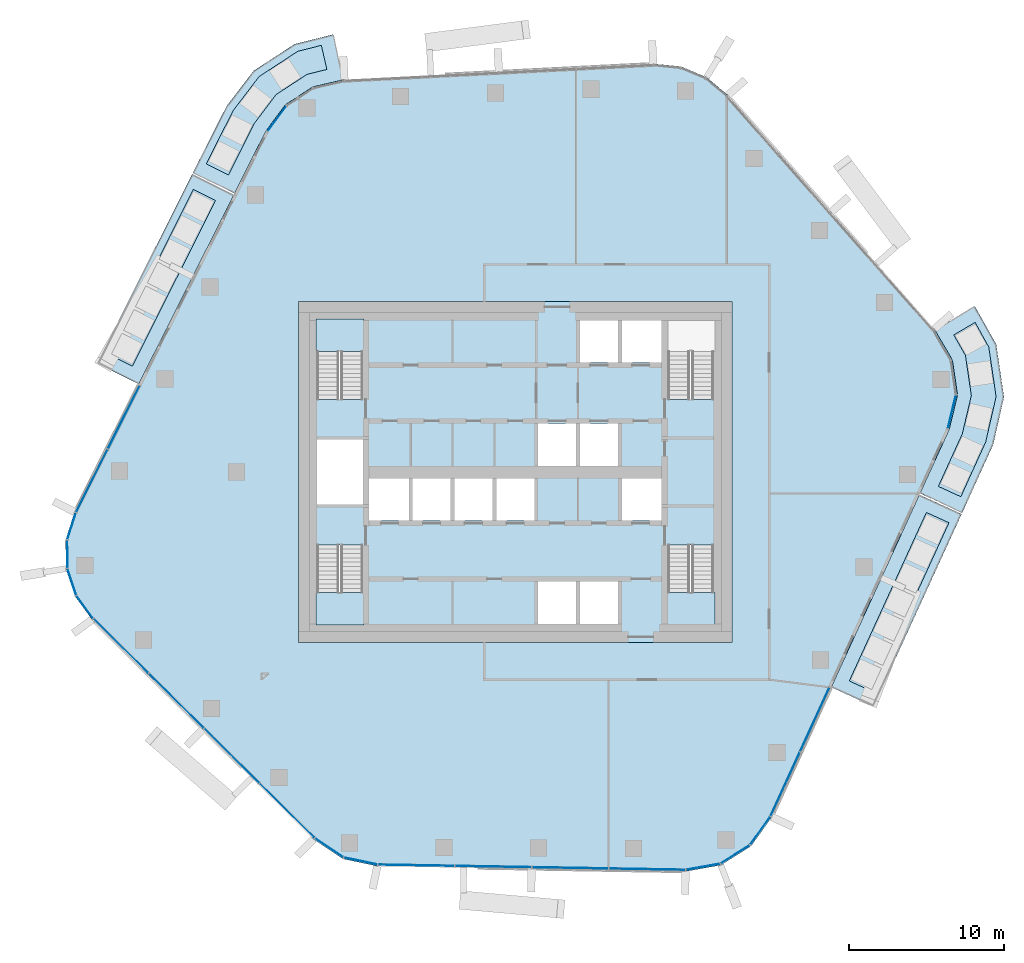
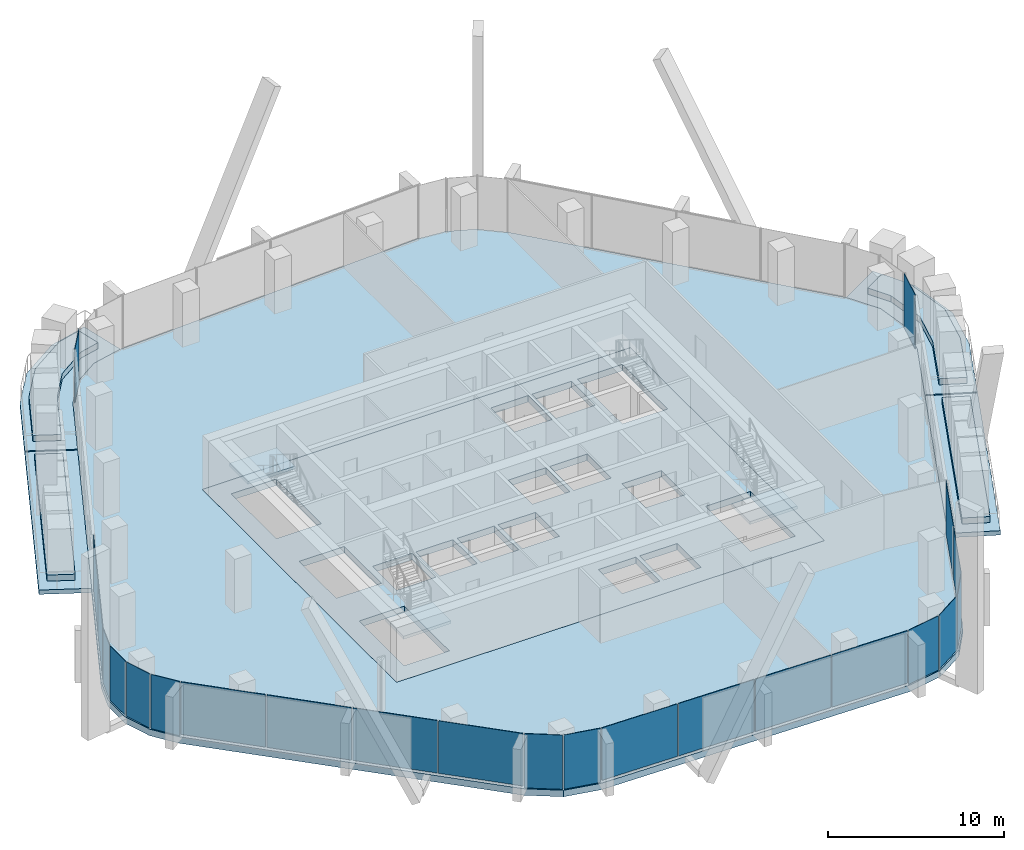
# One storey, part 8 of 20: 23 plates, 13 slabs, 12 elements without a shape of their own.
"""IFC4 building model written with IfcOpenShell, lengths in metres."""

from ifc_helpers import new_model, si_unit, direction, frame, origin, origin_2d, place, context, subcontext, project, spatial, polyline, rectangle, outline, extrude, material, layer, layer_set, type_object, element, aggregate, save


model = new_model("IFC4")

# Units and contexts
model_context = context("Model", 3, precision=1e-05, world=origin(), true_north=direction((0.0, 1.0)))
body_context = subcontext(model_context, "Body", "Model", "MODEL_VIEW")
ifc_project = project(units=[si_unit("LENGTHUNIT", "METRE"), si_unit("AREAUNIT", "SQUARE_METRE"), si_unit("VOLUMEUNIT", "CUBIC_METRE"), si_unit("PLANEANGLEUNIT", "RADIAN"), si_unit("MASSUNIT", "GRAM", prefix="KILO")], contexts=[model_context])

# Site, building, storey
site_placement = place(None, origin())
site = spatial("IfcSite", under=ifc_project, at=site_placement, CompositionType="ELEMENT")
building_placement = place(site_placement, origin())
building = spatial("IfcBuilding", under=site, at=building_placement, Name="Dongbaek Canopy Tower", CompositionType="ELEMENT")
storey_placement = place(building_placement, frame((0.0, 0.0, 228.60009765625)))
storey = spatial("IfcBuildingStorey", under=building, at=storey_placement, Name="L47", CompositionType="ELEMENT", Elevation=228.60009765625)

# Slabs
ifc_material_1 = material(Name="Concrete C40/50", Category="concrete")
ifc_layer_1 = layer(ifc_material_1, 0.300048828125)
ifc_layer_set_1 = layer_set([ifc_layer_1], Name="Balcony slab 300")
slab_type_1 = type_object("IfcSlabType", Name="Balcony slab 300", PredefinedType="FLOOR", material=ifc_layer_set_1)
slab_1_placement = place(storey_placement, frame((0.0, 0.0, -0.300048828125)))
element("IfcSlab", 1, at=slab_1_placement, inside=storey, type_object=slab_type_1, Name="Balcony L47 1", PredefinedType="FLOOR", context=body_context, shape_type="SweptSolid", body=[
    extrude(outline(polyline([(-18.175537109375, 17.891357421875), (-24.31298828125, 5.674560546875), (-26.99365234375, 7.021240234375), (-20.8564453125, 19.238037109375), (-18.175537109375, 17.891357421875)])), origin(), (0.0, 0.0, 1.0), 0.300048828125),
])
slab_2_placement = place(storey_placement, frame((0.0, 0.0, -0.300048828125)))
element("IfcSlab", 2, at=slab_2_placement, inside=storey, type_object=slab_type_1, Name="Balcony L47 4", PredefinedType="FLOOR", context=body_context, shape_type="SweptSolid", body=[
    extrude(outline(polyline([(-11.086669921875, 25.325439453125), (-13.08154296875, 24.864990234375), (-14.837890625, 23.71875), (-16.092529296875, 22.0380859375), (-18.130615234375, 17.980712890625), (-20.8115234375, 19.327392578125), (-18.644775390625, 23.61474609375), (-16.891357421875, 25.90576171875), (-14.2568359375, 27.625244140625), (-11.761474609375, 28.24853515625), (-11.086669921875, 25.325439453125)])), origin(), (0.0, 0.0, 1.0), 0.300048828125),
])
slab_3_placement = place(storey_placement, frame((0.0, 0.0, -0.300048828125)))
element("IfcSlab", 3, at=slab_3_placement, inside=storey, type_object=slab_type_1, Name="Balcony L47 2", PredefinedType="FLOOR", context=body_context, shape_type="SweptSolid", body=[
    extrude(outline(polyline([(20.395263671875, -13.88818359375), (26.081298828125, -1.462890625), (28.80908203125, -2.711181640625), (23.123291015625, -15.136474609375), (20.395263671875, -13.88818359375)])), origin(), (0.0, 0.0, 1.0), 0.300048828125),
])
slab_4_placement = place(storey_placement, frame((0.0, 0.0, -0.300048828125)))
element("IfcSlab", 4, at=slab_4_placement, inside=storey, type_object=slab_type_1, Name="Balcony L47 3", PredefinedType="FLOOR", context=body_context, shape_type="SweptSolid", body=[
    extrude(outline(polyline([(26.122802734375, -1.3720703125), (28.01123046875, 2.754638671875), (28.54931640625, 4.980712890625), (28.2138671875, 7.246337890625), (27.07958984375, 9.177978515625), (29.66650390625, 10.697021484375), (31.043212890625, 8.24365234375), (31.546142578125, 4.845458984375), (30.84619140625, 1.773681640625), (28.850830078125, -2.620361328125), (26.122802734375, -1.3720703125)])), origin(), (0.0, 0.0, 1.0), 0.300048828125),
])

# Curtain wall, plate
ifc_material_2 = material(Name="Aluminium 6063-T6 pale anodised", Category="aluminium")
ifc_layer_2 = layer(ifc_material_2, 0.199951171875)
ifc_layer_set_2 = layer_set([ifc_layer_2], Name="CW-1 unitised tower curtain wall")
curtain_wall_type = type_object("IfcCurtainWallType", Name="CW-1 unitised tower curtain wall", PredefinedType="NOTDEFINED", material=ifc_layer_set_2)
curtain_wall_1_placement = place(storey_placement, origin())
curtain_wall_1 = element("IfcCurtainWall", 5, at=curtain_wall_1_placement, inside=storey, type_object=curtain_wall_type, Name="CW-1 curtain wall K0.1", PredefinedType="NOTDEFINED")
ifc_material_3 = material(Name="Clear laminated glass", Category="glass")
ifc_layer_3 = layer(ifc_material_3, 0.028076171875)
ifc_layer_set_3 = layer_set([ifc_layer_3], Name="CW-1 glazed panel 28")
plate_type = type_object("IfcPlateType", Name="CW-1 glazed panel 28", PredefinedType="CURTAIN_PANEL", material=ifc_layer_set_3)
plate_1_placement = place(storey_placement, frame((28.181884765625, 3.886474609375, 0.0), z_axis=(0.0, 0.0, 1.0), x_axis=(0.23492321999, 0.972013930306, 0.0)))
plate_1 = element("IfcPlate", 6, at=plate_1_placement, type_object=plate_type, Name="CW-1 panel K0.1.1.1", PredefinedType="CURTAIN_PANEL", context=body_context, shape_type="SweptSolid", body=[
    extrude(rectangle(XDim=2.177001953125, YDim=0.028076171875, at=origin_2d()), origin(), (0.0, 0.0, 1.0), 3.75),
])
aggregate(curtain_wall_1, [plate_1])

curtain_wall_2_placement = place(storey_placement, origin())
curtain_wall_2 = element("IfcCurtainWall", 7, at=curtain_wall_2_placement, inside=storey, type_object=curtain_wall_type, Name="CW-1 curtain wall K2.1b", PredefinedType="NOTDEFINED")
plate_2_placement = place(storey_placement, frame((-15.3876953125, 22.81494140625, 0.0), z_axis=(0.0, 0.0, 1.0), x_axis=(-0.598174039914, -0.801366219635, 0.0)))
plate_2 = element("IfcPlate", 8, at=plate_2_placement, type_object=plate_type, Name="CW-1 panel K2.1b.2.1", PredefinedType="CURTAIN_PANEL", context=body_context, shape_type="SweptSolid", body=[
    extrude(rectangle(XDim=1.98681640625, YDim=0.028076171875, at=origin_2d()), origin(), (0.0, 0.0, 1.0), 3.75),
])
aggregate(curtain_wall_2, [plate_2])

# Curtain wall, plates
curtain_wall_3_placement = place(storey_placement, origin())
curtain_wall_3 = element("IfcCurtainWall", 9, at=curtain_wall_3_placement, inside=storey, type_object=curtain_wall_type, Name="CW-1 curtain wall F2.1", PredefinedType="NOTDEFINED")
plate_3_placement = place(storey_placement, frame((-25.276611328125, 3.533935546875, 0.119873046875), z_axis=(0.0, 0.0, 1.0), x_axis=(-0.448909169704, -0.893577393042, 0.0)))
plate_3 = element("IfcPlate", 10, at=plate_3_placement, type_object=plate_type, Name="CW-1 panel F2.1.1.1", PredefinedType="CURTAIN_PANEL", context=body_context, shape_type="SweptSolid", body=[
    extrude(rectangle(XDim=4.506591796875, YDim=0.028076171875, at=origin_2d()), origin(), (0.0, 0.0, 1.0), 3.6298828125),
])
plate_4_placement = place(storey_placement, frame((-27.33544921875, -0.564697265625, 0.119873046875), z_axis=(0.0, 0.0, 1.0), x_axis=(-0.448909169704, -0.893577393042, 0.0)))
plate_4 = element("IfcPlate", 11, at=plate_4_placement, type_object=plate_type, Name="CW-1 panel F2.1.2.1", PredefinedType="CURTAIN_PANEL", context=body_context, shape_type="SweptSolid", body=[
    extrude(rectangle(XDim=4.498779296875, YDim=0.028076171875, at=origin_2d()), origin(), (0.0, 0.0, 1.0), 3.6298828125),
])
aggregate(curtain_wall_3, [plate_3, plate_4])

curtain_wall_4_placement = place(storey_placement, origin())
curtain_wall_4 = element("IfcCurtainWall", 12, at=curtain_wall_4_placement, inside=storey, type_object=curtain_wall_type, Name="CW-1 curtain wall K3.1", PredefinedType="NOTDEFINED")
plate_5_placement = place(storey_placement, frame((-28.645263671875, -3.494140625, 0.0), z_axis=(0.0, 0.0, 1.0), x_axis=(-0.303758507222, -0.952749058929, 0.0)))
plate_5 = element("IfcPlate", 13, at=plate_5_placement, type_object=plate_type, Name="CW-1 panel K3.1.1.1", PredefinedType="CURTAIN_PANEL", context=body_context, shape_type="SweptSolid", body=[
    extrude(rectangle(XDim=1.767578125, YDim=0.028076171875, at=origin_2d()), origin(), (0.0, 0.0, 1.0), 3.75),
])
plate_6_placement = place(storey_placement, frame((-28.921630859375, -5.298095703125, 0.0), z_axis=(0.0, 0.0, 1.0), x_axis=(0.005183131791, -0.999986567482, 0.0)))
plate_6 = element("IfcPlate", 14, at=plate_6_placement, type_object=plate_type, Name="CW-1 panel K3.1.2.1", PredefinedType="CURTAIN_PANEL", context=body_context, shape_type="SweptSolid", body=[
    extrude(rectangle(XDim=1.759521484375, YDim=0.028076171875, at=origin_2d()), origin(), (0.0, 0.0, 1.0), 3.75),
])
plate_7_placement = place(storey_placement, frame((-28.6279296875, -7.094970703125, 0.0), z_axis=(0.0, 0.0, 1.0), x_axis=(0.313618501572, -0.949549069544, 0.0)))
plate_7 = element("IfcPlate", 15, at=plate_7_placement, type_object=plate_type, Name="CW-1 panel K3.1.3.1", PredefinedType="CURTAIN_PANEL", context=body_context, shape_type="SweptSolid", body=[
    extrude(rectangle(XDim=1.759521484375, YDim=0.028076171875, at=origin_2d()), origin(), (0.0, 0.0, 1.0), 3.75),
])
plate_8_placement = place(storey_placement, frame((-27.791259765625, -8.716796875, 0.0), z_axis=(0.0, 0.0, 1.0), x_axis=(0.591420770683, -0.806363114239, 0.0)))
plate_8 = element("IfcPlate", 16, at=plate_8_placement, type_object=plate_type, Name="CW-1 panel K3.1.4.1", PredefinedType="CURTAIN_PANEL", context=body_context, shape_type="SweptSolid", body=[
    extrude(rectangle(XDim=1.767578125, YDim=0.028076171875, at=origin_2d()), origin(), (0.0, 0.0, 1.0), 3.75),
])
aggregate(curtain_wall_4, [plate_5, plate_6, plate_7, plate_8])

curtain_wall_5_placement = place(storey_placement, origin())
curtain_wall_5 = element("IfcCurtainWall", 17, at=curtain_wall_5_placement, inside=storey, type_object=curtain_wall_type, Name="CW-1 curtain wall F3.1", PredefinedType="NOTDEFINED")
plate_9_placement = place(storey_placement, frame((-25.459228515625, -11.232421875, 0.119873046875), z_axis=(0.0, 0.0, 1.0), x_axis=(0.710162348211, -0.704037952942, 0.0)))
plate_9 = element("IfcPlate", 18, at=plate_9_placement, type_object=plate_type, Name="CW-1 panel F3.1.1.1", PredefinedType="CURTAIN_PANEL", context=body_context, shape_type="SweptSolid", body=[
    extrude(rectangle(XDim=4.941650390625, YDim=0.028076171875, at=origin_2d()), origin(), (0.0, 0.0, 1.0), 3.6298828125),
])
plate_10_placement = place(storey_placement, frame((-21.887451171875, -14.7734375, 0.119873046875), z_axis=(0.0, 0.0, 1.0), x_axis=(0.710162348211, -0.704037952942, 0.0)))
plate_10 = element("IfcPlate", 19, at=plate_10_placement, type_object=plate_type, Name="CW-1 panel F3.1.2.1", PredefinedType="CURTAIN_PANEL", context=body_context, shape_type="SweptSolid", body=[
    extrude(rectangle(XDim=4.949462890625, YDim=0.028076171875, at=origin_2d()), origin(), (0.0, 0.0, 1.0), 3.6298828125),
])
plate_11_placement = place(storey_placement, frame((-18.312744140625, -18.317138671875, 0.119873046875), z_axis=(0.0, 0.0, 1.0), x_axis=(0.710162348211, -0.704037952942, 0.0)))
plate_11 = element("IfcPlate", 20, at=plate_11_placement, type_object=plate_type, Name="CW-1 panel F3.1.3.1", PredefinedType="CURTAIN_PANEL", context=body_context, shape_type="SweptSolid", body=[
    extrude(rectangle(XDim=4.949462890625, YDim=0.028076171875, at=origin_2d()), origin(), (0.0, 0.0, 1.0), 3.6298828125),
])
plate_12_placement = place(storey_placement, frame((-14.74169921875, -21.857666015625, 0.119873046875), z_axis=(0.0, 0.0, 1.0), x_axis=(0.710162348211, -0.704037952942, 0.0)))
plate_12 = element("IfcPlate", 21, at=plate_12_placement, type_object=plate_type, Name="CW-1 panel F3.1.4.1", PredefinedType="CURTAIN_PANEL", context=body_context, shape_type="SweptSolid", body=[
    extrude(rectangle(XDim=4.93994140625, YDim=0.028076171875, at=origin_2d()), origin(), (0.0, 0.0, 1.0), 3.6298828125),
])
aggregate(curtain_wall_5, [plate_9, plate_10, plate_11, plate_12])

curtain_wall_6_placement = place(storey_placement, origin())
curtain_wall_6 = element("IfcCurtainWall", 22, at=curtain_wall_6_placement, inside=storey, type_object=curtain_wall_type, Name="CW-1 curtain wall K4.1", PredefinedType="NOTDEFINED")
plate_13_placement = place(storey_placement, frame((-12.023193359375, -24.251953125, 0.0), z_axis=(0.0, 0.0, 1.0), x_axis=(0.830913331139, -0.556401865683, 0.0)))
plate_13 = element("IfcPlate", 23, at=plate_13_placement, type_object=plate_type, Name="CW-1 panel K4.1.1.1", PredefinedType="CURTAIN_PANEL", context=body_context, shape_type="SweptSolid", body=[
    extrude(rectangle(XDim=2.165283203125, YDim=0.028076171875, at=origin_2d()), origin(), (0.0, 0.0, 1.0), 3.75),
])
plate_14_placement = place(storey_placement, frame((-9.98828125, -25.110107421875, 0.0), z_axis=(0.0, 0.0, 1.0), x_axis=(0.978443325131, -0.206515518802, 0.0)))
plate_14 = element("IfcPlate", 24, at=plate_14_placement, type_object=plate_type, Name="CW-1 panel K4.1.2.1", PredefinedType="CURTAIN_PANEL", context=body_context, shape_type="SweptSolid", body=[
    extrude(rectangle(XDim=2.165283203125, YDim=0.028076171875, at=origin_2d()), origin(), (0.0, 0.0, 1.0), 3.75),
])
aggregate(curtain_wall_6, [plate_13, plate_14])

curtain_wall_7_placement = place(storey_placement, origin())
curtain_wall_7 = element("IfcCurtainWall", 25, at=curtain_wall_7_placement, inside=storey, type_object=curtain_wall_type, Name="CW-1 curtain wall F4.1", PredefinedType="NOTDEFINED")
plate_15_placement = place(storey_placement, frame((-6.4052734375, -25.384521484375, 0.119873046875), z_axis=(0.0, 0.0, 1.0), x_axis=(0.999855606006, -0.016993149743, 0.0)))
plate_15 = element("IfcPlate", 26, at=plate_15_placement, type_object=plate_type, Name="CW-1 panel F4.1.1.1", PredefinedType="CURTAIN_PANEL", context=body_context, shape_type="SweptSolid", body=[
    extrude(rectangle(XDim=4.88134765625, YDim=0.028076171875, at=origin_2d()), origin(), (0.0, 0.0, 1.0), 3.6298828125),
])
plate_16_placement = place(storey_placement, frame((-1.435791015625, -25.468994140625, 0.119873046875), z_axis=(0.0, 0.0, 1.0), x_axis=(0.999855606006, -0.016993149743, 0.0)))
plate_16 = element("IfcPlate", 27, at=plate_16_placement, type_object=plate_type, Name="CW-1 panel F4.1.2.1", PredefinedType="CURTAIN_PANEL", context=body_context, shape_type="SweptSolid", body=[
    extrude(rectangle(XDim=4.89111328125, YDim=0.028076171875, at=origin_2d()), origin(), (0.0, 0.0, 1.0), 3.6298828125),
])
plate_17_placement = place(storey_placement, frame((3.538330078125, -25.553466796875, 0.119873046875), z_axis=(0.0, 0.0, 1.0), x_axis=(0.999855606006, -0.016993149743, 0.0)))
plate_17 = element("IfcPlate", 28, at=plate_17_placement, type_object=plate_type, Name="CW-1 panel F4.1.3.1", PredefinedType="CURTAIN_PANEL", context=body_context, shape_type="SweptSolid", body=[
    extrude(rectangle(XDim=4.89111328125, YDim=0.028076171875, at=origin_2d()), origin(), (0.0, 0.0, 1.0), 3.6298828125),
])
plate_18_placement = place(storey_placement, frame((8.5078125, -25.637939453125, 0.119873046875), z_axis=(0.0, 0.0, 1.0), x_axis=(0.999855606006, -0.016993149743, 0.0)))
plate_18 = element("IfcPlate", 29, at=plate_18_placement, type_object=plate_type, Name="CW-1 panel F4.1.4.1", PredefinedType="CURTAIN_PANEL", context=body_context, shape_type="SweptSolid", body=[
    extrude(rectangle(XDim=4.88134765625, YDim=0.028076171875, at=origin_2d()), origin(), (0.0, 0.0, 1.0), 3.6298828125),
])
aggregate(curtain_wall_7, [plate_15, plate_16, plate_17, plate_18])

curtain_wall_8_placement = place(storey_placement, origin())
curtain_wall_8 = element("IfcCurtainWall", 30, at=curtain_wall_8_placement, inside=storey, type_object=curtain_wall_type, Name="CW-1 curtain wall K5.1", PredefinedType="NOTDEFINED")
plate_19_placement = place(storey_placement, frame((12.109375, -25.48095703125, 0.0), z_axis=(0.0, 0.0, 1.0), x_axis=(0.984532656924, 0.17520116281, 0.0)))
plate_19 = element("IfcPlate", 31, at=plate_19_placement, type_object=plate_type, Name="CW-1 panel K5.1.1.1", PredefinedType="CURTAIN_PANEL", context=body_context, shape_type="SweptSolid", body=[
    extrude(rectangle(XDim=2.189697265625, YDim=0.028076171875, at=origin_2d()), origin(), (0.0, 0.0, 1.0), 3.75),
])
plate_20_placement = place(storey_placement, frame((14.186279296875, -24.67822265625, 0.0), z_axis=(0.0, 0.0, 1.0), x_axis=(0.846021440639, 0.533148874123, 0.0)))
plate_20 = element("IfcPlate", 32, at=plate_20_placement, type_object=plate_type, Name="CW-1 panel K5.1.2.1", PredefinedType="CURTAIN_PANEL", context=body_context, shape_type="SweptSolid", body=[
    extrude(rectangle(XDim=2.1796875, YDim=0.028076171875, at=origin_2d()), origin(), (0.0, 0.0, 1.0), 3.75),
])
plate_21_placement = place(storey_placement, frame((15.806396484375, -23.151123046875, 0.0), z_axis=(0.0, 0.0, 1.0), x_axis=(0.582881180681, 0.812557400562, 0.0)))
plate_21 = element("IfcPlate", 33, at=plate_21_placement, type_object=plate_type, Name="CW-1 panel K5.1.3.1", PredefinedType="CURTAIN_PANEL", context=body_context, shape_type="SweptSolid", body=[
    extrude(rectangle(XDim=2.189697265625, YDim=0.028076171875, at=origin_2d()), origin(), (0.0, 0.0, 1.0), 3.75),
])
aggregate(curtain_wall_8, [plate_19, plate_20, plate_21])

curtain_wall_9_placement = place(storey_placement, origin())
curtain_wall_9 = element("IfcCurtainWall", 34, at=curtain_wall_9_placement, inside=storey, type_object=curtain_wall_type, Name="CW-1 curtain wall F5.1", PredefinedType="NOTDEFINED")
plate_22_placement = place(storey_placement, frame((17.421630859375, -20.145751953125, 0.119873046875), z_axis=(0.0, 0.0, 1.0), x_axis=(0.416112546196, 0.909313119282, 0.0)))
plate_22 = element("IfcPlate", 35, at=plate_22_placement, type_object=plate_type, Name="CW-1 panel F5.1.1.1", PredefinedType="CURTAIN_PANEL", context=body_context, shape_type="SweptSolid", body=[
    extrude(rectangle(XDim=4.494384765625, YDim=0.028076171875, at=origin_2d()), origin(), (0.0, 0.0, 1.0), 3.6298828125),
])
plate_23_placement = place(storey_placement, frame((19.328857421875, -15.97802734375, 0.119873046875), z_axis=(0.0, 0.0, 1.0), x_axis=(0.416112546196, 0.909313119282, 0.0)))
plate_23 = element("IfcPlate", 36, at=plate_23_placement, type_object=plate_type, Name="CW-1 panel F5.1.2.1", PredefinedType="CURTAIN_PANEL", context=body_context, shape_type="SweptSolid", body=[
    extrude(rectangle(XDim=4.504150390625, YDim=0.028076171875, at=origin_2d()), origin(), (0.0, 0.0, 1.0), 3.6298828125),
])
aggregate(curtain_wall_9, [plate_22, plate_23])

# Slab
ifc_material_4 = material(Name="Concrete C40/50", Category="concrete")
ifc_layer_4 = layer(ifc_material_4, 0.449951171875)
ifc_layer_set_4 = layer_set([ifc_layer_4], Name="Core floor slab 450 Concrete C40/50")
slab_type_2 = type_object("IfcSlabType", Name="Core floor slab 450 Concrete C40/50", PredefinedType="FLOOR", material=ifc_layer_set_4)
slab_5_placement = place(storey_placement, frame((0.0, 0.0, -0.4501953125)))
element("IfcSlab", 37, at=slab_5_placement, inside=storey, type_object=slab_type_2, Name="Core floor slab L47", PredefinedType="FLOOR", context=body_context, shape_type="SweptSolid", body=[
    extrude(outline(polyline([(14.0, -11.0), (14.0, 11.0), (-14.0, 11.0), (-14.0, -11.0), (14.0, -11.0)]), holes=[polyline([(-12.800048828125, 2.10009765625), (-9.85009765625, 2.10009765625), (-9.85009765625, -2.10009765625), (-12.800048828125, -2.10009765625), (-12.800048828125, 2.10009765625)]), polyline([(6.625, 9.800048828125), (6.625, 7.074951171875), (4.175048828125, 7.074951171875), (4.175048828125, 9.800048828125), (6.625, 9.800048828125)]), polyline([(9.449951171875, 7.074951171875), (6.875, 7.074951171875), (6.875, 9.800048828125), (9.449951171875, 9.800048828125), (9.449951171875, 7.074951171875)]), polyline([(3.925048828125, 3.125), (3.925048828125, 0.39990234375), (1.47509765625, 0.39990234375), (1.47509765625, 3.125), (3.925048828125, 3.125)]), polyline([(4.175048828125, 3.125), (6.625, 3.125), (6.625, 0.39990234375), (4.175048828125, 0.39990234375), (4.175048828125, 3.125)]), polyline([(-9.449951171875, -0.39990234375), (-6.875, -0.39990234375), (-6.875, -3.125), (-9.449951171875, -3.125), (-9.449951171875, -0.39990234375)]), polyline([(-6.625, -0.39990234375), (-4.175048828125, -0.39990234375), (-4.175048828125, -3.125), (-6.625, -3.125), (-6.625, -0.39990234375)]), polyline([(-3.925048828125, -0.39990234375), (-1.47509765625, -0.39990234375), (-1.47509765625, -3.125), (-3.925048828125, -3.125), (-3.925048828125, -0.39990234375)]), polyline([(-1.22509765625, -0.39990234375), (1.22509765625, -0.39990234375), (1.22509765625, -3.125), (-1.22509765625, -3.125), (-1.22509765625, -0.39990234375)]), polyline([(9.449951171875, -3.125), (6.875, -3.125), (6.875, -0.39990234375), (9.449951171875, -0.39990234375), (9.449951171875, -3.125)]), polyline([(1.47509765625, -9.800048828125), (1.47509765625, -7.074951171875), (3.925048828125, -7.074951171875), (3.925048828125, -9.800048828125), (1.47509765625, -9.800048828125)]), polyline([(4.175048828125, -9.800048828125), (4.175048828125, -7.074951171875), (6.625, -7.074951171875), (6.625, -9.800048828125), (4.175048828125, -9.800048828125)]), polyline([(12.800048828125, 4.70068359375), (12.800048828125, 9.800048828125), (9.85009765625, 9.800048828125), (9.85009765625, 4.70068359375), (12.800048828125, 4.70068359375)]), polyline([(-9.85009765625, 4.70068359375), (-9.85009765625, 9.800048828125), (-12.800048828125, 9.800048828125), (-12.800048828125, 4.70068359375), (-9.85009765625, 4.70068359375)]), polyline([(9.85009765625, -4.70068359375), (9.85009765625, -9.800048828125), (12.800048828125, -9.800048828125), (12.800048828125, -4.70068359375), (9.85009765625, -4.70068359375)]), polyline([(-12.800048828125, -4.70068359375), (-12.800048828125, -9.800048828125), (-9.85009765625, -9.800048828125), (-9.85009765625, -4.70068359375), (-12.800048828125, -4.70068359375)])]), origin(), (0.0, 0.0, 1.0), 0.4501953125),
])

# Stair, slab
ifc_material_5 = material(Name="Concrete C40/50", Category="concrete")
stair_type = type_object("IfcStairType", Name="Core exit stair", PredefinedType="HALF_TURN_STAIR", material=ifc_material_5)
stair_1_placement = place(storey_placement, origin())
stair_1 = element("IfcStair", 38, at=stair_1_placement, inside=storey, type_object=stair_type, Name="L47 exit stair C", PredefinedType="HALF_TURN_STAIR")
ifc_material_6 = material(Name="Concrete C40/50", Category="concrete")
ifc_layer_5 = layer(ifc_material_6, 0.199951171875)
ifc_layer_set_5 = layer_set([ifc_layer_5], Name="Core stair landing 200")
slab_type_3 = type_object("IfcSlabType", Name="Core stair landing 200", PredefinedType="LANDING", material=ifc_layer_set_5)
slab_6_placement = place(storey_placement, frame((0.0, 0.0, 1.89990234375)))
slab_6 = element("IfcSlab", 39, at=slab_6_placement, type_object=slab_type_3, Name="ST-C landing 1", PredefinedType="LANDING", context=body_context, shape_type="SweptSolid", body=[
    extrude(outline(polyline([(-9.77490234375, 7.780029296875), (-9.77490234375, 9.875), (-12.875, 9.875), (-12.875, 7.780029296875), (-9.77490234375, 7.780029296875)])), origin(), (0.0, 0.0, 1.0), 0.199951171875),
])
aggregate(stair_1, [slab_6])

stair_2_placement = place(storey_placement, origin())
stair_2 = element("IfcStair", 40, at=stair_2_placement, inside=storey, type_object=stair_type, Name="L47 exit stair B", PredefinedType="HALF_TURN_STAIR")
slab_7_placement = place(storey_placement, frame((0.0, 0.0, 1.89990234375)))
slab_7 = element("IfcSlab", 41, at=slab_7_placement, type_object=slab_type_3, Name="ST-B landing 1", PredefinedType="LANDING", context=body_context, shape_type="SweptSolid", body=[
    extrude(outline(polyline([(9.77490234375, -7.780029296875), (9.77490234375, -9.875), (12.875, -9.875), (12.875, -7.780029296875), (9.77490234375, -7.780029296875)])), origin(), (0.0, 0.0, 1.0), 0.199951171875),
])
aggregate(stair_2, [slab_7])

stair_3_placement = place(storey_placement, origin())
stair_3 = element("IfcStair", 42, at=stair_3_placement, inside=storey, type_object=stair_type, Name="L47 exit stair D", PredefinedType="HALF_TURN_STAIR")
slab_8_placement = place(storey_placement, frame((0.0, 0.0, 1.89990234375)))
slab_8 = element("IfcSlab", 43, at=slab_8_placement, type_object=slab_type_3, Name="ST-D landing 1", PredefinedType="LANDING", context=body_context, shape_type="SweptSolid", body=[
    extrude(outline(polyline([(-12.875, -7.780029296875), (-12.875, -9.875), (-9.77490234375, -9.875), (-9.77490234375, -7.780029296875), (-12.875, -7.780029296875)])), origin(), (0.0, 0.0, 1.0), 0.199951171875),
])
aggregate(stair_3, [slab_8])

# Slabs
ifc_material_7 = material(Name="Concrete C40", Category="concrete")
ifc_layer_6 = layer(ifc_material_7, 0.449951171875)
ifc_layer_set_6 = layer_set([ifc_layer_6], Name="RC FLAT PLATE 450 Concrete C40")
slab_type_4 = type_object("IfcSlabType", Name="RC FLAT PLATE 450 Concrete C40", PredefinedType="FLOOR", material=ifc_layer_set_6)
slab_9_placement = place(storey_placement, frame((0.0, 0.0, -0.4501953125)))
element("IfcSlab", 44, at=slab_9_placement, inside=storey, type_object=slab_type_4, Name="SLAB:L47", PredefinedType="FLOOR", context=body_context, shape_type="SweptSolid", body=[
    extrude(outline(polyline([(16.555908203125, -22.27783203125), (15.213623046875, -24.14892578125), (13.265380859375, -25.376708984375), (10.998291015625, -25.7802734375), (-8.89892578125, -25.442138671875), (-11.128173828125, -24.9716796875), (-13.021240234375, -23.703857421875), (-27.31982421875, -9.52880859375), (-28.4287109375, -8.0166015625), (-29.016845703125, -6.236083984375), (-29.026611328125, -4.36083984375), (-28.45703125, -2.57421875), (-16.09228515625, 22.0380859375), (-14.837890625, 23.71875), (-13.08154296875, 24.864990234375), (-11.0380859375, 25.336669921875), (8.910888671875, 26.35888671875), (10.693359375, 26.1826171875), (12.344482421875, 25.48779296875), (13.716796875, 24.33642578125), (27.05419921875, 9.22119140625), (28.214111328125, 7.246337890625), (28.54931640625, 4.980712890625), (28.01123046875, 2.754638671875), (16.555908203125, -22.27783203125)]), holes=[polyline([(14.0, 11.0), (-14.0, 11.0), (-14.0, -11.0), (14.0, -11.0), (14.0, 11.0)])]), origin(), (0.0, 0.0, 1.0), 0.4501953125),
])
ifc_material_8 = material(Name="Reinforced concrete C40/50 planter box with soil", Category="concrete")
ifc_layer_7 = layer(ifc_material_8, 0.419921875)
ifc_layer_set_7 = layer_set([ifc_layer_7], Name="Terrace planter box 1600 x 420")
slab_type_5 = type_object("IfcSlabType", Name="Terrace planter box 1600 x 420", PredefinedType="USERDEFINED", material=ifc_layer_set_7)
slab_10_placement = place(storey_placement, origin())
element("IfcSlab", 45, at=slab_10_placement, inside=storey, type_object=slab_type_5, Name="Balcony planter L47 1", ObjectType="PLANTER", PredefinedType="USERDEFINED", context=body_context, shape_type="SweptSolid", body=[
    extrude(outline(polyline([(-19.3525390625, 17.53125), (-24.726806640625, 6.83349609375), (-26.156494140625, 7.5517578125), (-20.7822265625, 18.24951171875), (-19.3525390625, 17.53125)])), origin(), (0.0, 0.0, 1.0), 0.419921875),
])
slab_11_placement = place(storey_placement, origin())
element("IfcSlab", 46, at=slab_11_placement, inside=storey, type_object=slab_type_5, Name="Balcony planter L47 4", ObjectType="PLANTER", PredefinedType="USERDEFINED", context=body_context, shape_type="SweptSolid", body=[
    extrude(outline(polyline([(-12.163818359375, 25.990234375), (-13.43017578125, 25.683837890625), (-15.447021484375, 24.367431640625), (-16.849609375, 22.505859375), (-18.52197265625, 19.184326171875), (-19.95166015625, 19.902587890625), (-18.210693359375, 23.3466796875), (-16.542236328125, 25.533935546875), (-14.05712890625, 27.156005859375), (-12.523681640625, 27.54931640625), (-12.163818359375, 25.990234375)])), origin(), (0.0, 0.0, 1.0), 0.419921875),
])
slab_12_placement = place(storey_placement, origin())
element("IfcSlab", 47, at=slab_12_placement, inside=storey, type_object=slab_type_5, Name="Balcony planter L47 2", ObjectType="PLANTER", PredefinedType="USERDEFINED", context=body_context, shape_type="SweptSolid", body=[
    extrude(outline(polyline([(21.55810546875, -13.485595703125), (26.536865234375, -2.606201171875), (27.99169921875, -3.27197265625), (23.01318359375, -14.1513671875), (21.55810546875, -13.485595703125)])), origin(), (0.0, 0.0, 1.0), 0.419921875),
])
slab_13_placement = place(storey_placement, origin())
element("IfcSlab", 48, at=slab_13_placement, inside=storey, type_object=slab_type_5, Name="Balcony planter L47 3", ObjectType="PLANTER", PredefinedType="USERDEFINED", context=body_context, shape_type="SweptSolid", body=[
    extrude(outline(polyline([(27.306640625, -0.923828125), (28.852294921875, 2.463623046875), (29.438232421875, 4.940673828125), (29.05322265625, 7.542236328125), (28.302734375, 8.8525390625), (29.6826171875, 9.662841796875), (30.562255859375, 8.07421875), (31.03662109375, 4.868408203125), (30.3642578125, 1.9404296875), (28.761474609375, -1.589599609375), (27.306640625, -0.923828125)])), origin(), (0.0, 0.0, 1.0), 0.419921875),
])

save(model, "model.ifc")
